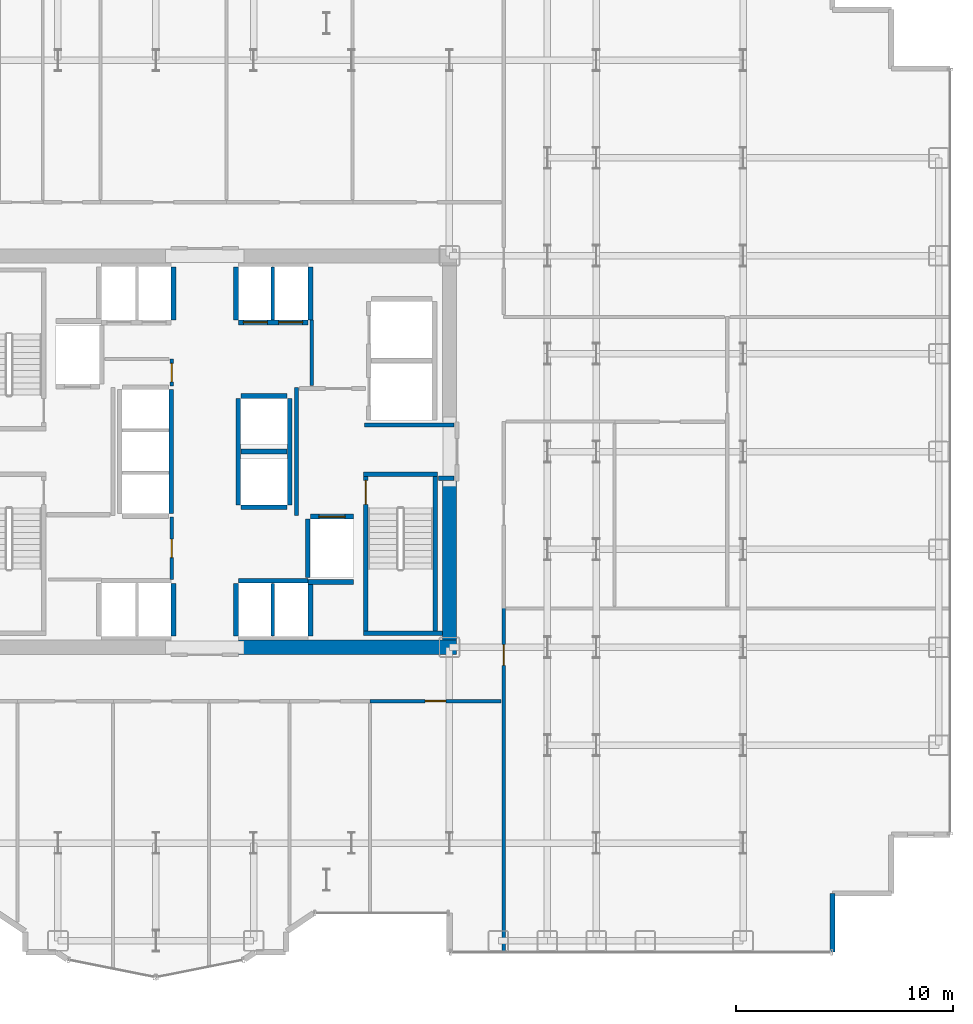
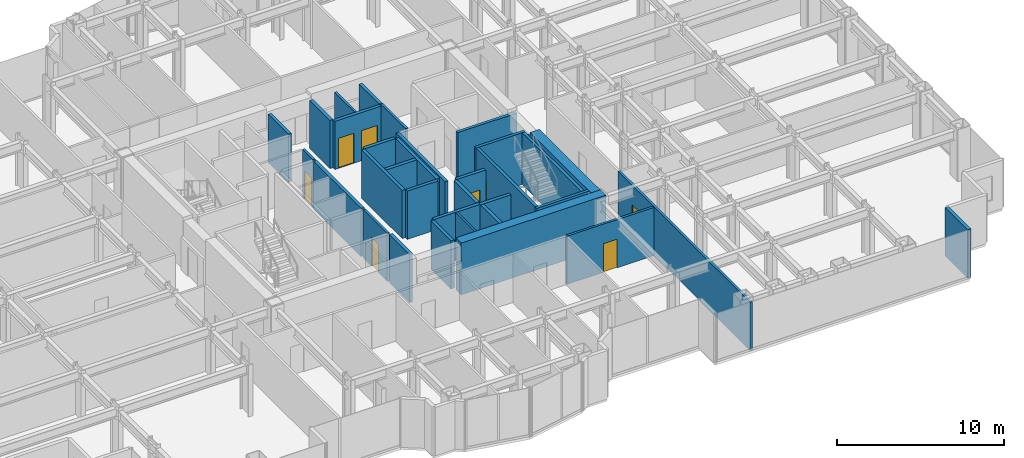
# One storey, part 22 of 27: 34 walls, 8 doors, 8 openings.
"""IFC4 building model written with IfcOpenShell, lengths in metres."""

from ifc_helpers import new_model, si_unit, direction, frame, frame_2d, origin, place, context, subcontext, project, spatial, rectangle, extrude, source, transform, mapped, material, layer, layer_set, type_object, element, fill, save


model = new_model("IFC4")

# Units and contexts
model_context = context("Model", 3, precision=1e-05, world=origin(), true_north=direction((0.0, 1.0)))
body_context = subcontext(model_context, "Body", "Model", "MODEL_VIEW")
ifc_project = project(units=[si_unit("LENGTHUNIT", "METRE"), si_unit("AREAUNIT", "SQUARE_METRE"), si_unit("VOLUMEUNIT", "CUBIC_METRE"), si_unit("PLANEANGLEUNIT", "RADIAN"), si_unit("MASSUNIT", "GRAM", prefix="KILO")], contexts=[model_context])

# Site, building, storey
site_placement = place(None, origin())
site = spatial("IfcSite", under=ifc_project, at=site_placement, CompositionType="ELEMENT")
building_placement = place(site_placement, origin())
building = spatial("IfcBuilding", under=site, at=building_placement, Name="Nefas-Gora Pilgrimage Tower", CompositionType="ELEMENT")
storey_placement = place(building_placement, frame((0.0, 0.0, 48.199951171875)))
storey = spatial("IfcBuildingStorey", under=building, at=storey_placement, Name="L10", CompositionType="ELEMENT", Elevation=48.199951171875)

# Walls
ifc_material_1 = material(Name="Concrete C60/75", Category="concrete")
ifc_layer_1 = layer(ifc_material_1, 0.64990234375)
ifc_layer_set_1 = layer_set([ifc_layer_1], Name="Concrete C60/75")
wall_type_1 = type_object("IfcWallType", Name="SW-CORE-650", PredefinedType="SHEAR", material=ifc_layer_set_1)
shared_shape_1 = source(origin(), body_context, "Body", "SweptSolid", [
    extrude(rectangle(XDim=10.02490234375, YDim=0.64990234375, at=frame_2d((5.012451171875, 0.0))), origin(), (0.0, 0.0, 1.0), 3.800048828125),
])
wall_1_placement = place(storey_placement, frame((1.550048828125, -9.0, 0.0), z_axis=(0.0, 0.0, 1.0), x_axis=(1.0, 0.0, 0.0)))
element("IfcWall", 1, at=wall_1_placement, inside=storey, type_object=wall_type_1, Name="L10 Core Shear Wall S-East", PredefinedType="SHEAR", context=body_context, shape_type="MappedRepresentation", body=[
    mapped(shared_shape_1, transform((0.0, 0.0, 0.0), x_axis=(1.0, 0.0, 0.0), y_axis=(0.0, 1.0, 0.0), z_axis=(0.0, 0.0, 1.0), scale=1.0)),
])
shared_shape_2 = source(origin(), body_context, "Body", "SweptSolid", [
    extrude(rectangle(XDim=7.324951171875, YDim=0.64990234375, at=frame_2d((3.66259765625, 0.0))), origin(), (0.0, 0.0, 1.0), 3.800048828125),
])
wall_2_placement = place(storey_placement, frame((11.25, -8.675048828125, 0.0), z_axis=(0.0, 0.0, 1.0), x_axis=(0.0, 1.0, 0.0)))
element("IfcWall", 2, at=wall_2_placement, inside=storey, type_object=wall_type_1, Name="L10 Core Shear Wall E-South", PredefinedType="SHEAR", context=body_context, shape_type="MappedRepresentation", body=[
    mapped(shared_shape_2, transform((0.0, 0.0, 0.0), x_axis=(1.0, 0.0, 0.0), y_axis=(0.0, 1.0, 0.0), z_axis=(0.0, 0.0, 1.0), scale=1.0)),
])
ifc_material_2 = material(Name="Precast concrete C45/55", Category="concrete")
ifc_layer_2 = layer(ifc_material_2, 0.239990234375)
ifc_layer_set_2 = layer_set([ifc_layer_2], Name="Precast concrete C45/55")
wall_type_2 = type_object("IfcWallType", Name="EW-SERR-240", PredefinedType="SHEAR", material=ifc_layer_set_2)
shared_shape_3 = source(origin(), body_context, "Body", "SweptSolid", [
    extrude(rectangle(XDim=2.699951171875, YDim=0.239990234375, at=frame_2d((1.35009765625, 0.0))), origin(), (0.0, 0.0, 1.0), 3.550048828125),
])
wall_3_placement = place(storey_placement, frame((28.8701171875, -23.02001953125, 0.0), z_axis=(0.0, 0.0, 1.0), x_axis=(0.0, 1.0, 0.0)))
element("IfcWall", 3, at=wall_3_placement, inside=storey, type_object=wall_type_2, Name="L10 Serrated Corner Shear Pier Wall 2", PredefinedType="SHEAR", context=body_context, shape_type="MappedRepresentation", body=[
    mapped(shared_shape_3, transform((0.0, 0.0, 0.0), x_axis=(1.0, 0.0, 0.0), y_axis=(0.0, 1.0, 0.0), z_axis=(0.0, 0.0, 1.0), scale=1.0)),
])
ifc_material_3 = material(Name="Concrete C45/55", Category="concrete")
ifc_layer_3 = layer(ifc_material_3, 0.199951171875)
ifc_layer_set_3 = layer_set([ifc_layer_3], Name="Concrete C45/55")
wall_type_3 = type_object("IfcWallType", Name="IW-STAIR-200", PredefinedType="SOLIDWALL", material=ifc_layer_set_3)
shared_shape_4 = source(origin(), body_context, "Body", "SweptSolid", [
    extrude(rectangle(XDim=3.39990234375, YDim=0.199951171875, at=frame_2d((1.699951171875, 0.0))), origin(), (0.0, 0.0, 1.0), 3.800048828125),
])
wall_4_placement = place(storey_placement, frame((7.300048828125, -1.050048828125, 0.0), z_axis=(0.0, 0.0, 1.0), x_axis=(1.0, 0.0, 0.0)))
element("IfcWall", 4, at=wall_4_placement, inside=storey, type_object=wall_type_3, Name="L10 Stairwell Shear Wall ST-02-near", PredefinedType="SOLIDWALL", context=body_context, shape_type="MappedRepresentation", body=[
    mapped(shared_shape_4, transform((0.0, 0.0, 0.0), x_axis=(1.0, 0.0, 0.0), y_axis=(0.0, 1.0, 0.0), z_axis=(0.0, 0.0, 1.0), scale=1.0)),
])
shared_shape_5 = source(origin(), body_context, "Body", "SweptSolid", [
    extrude(rectangle(XDim=3.6298828125, YDim=0.199951171875, at=frame_2d((1.81494140625, 0.0))), origin(), (0.0, 0.0, 1.0), 3.800048828125),
])
wall_5_placement = place(storey_placement, frame((7.300048828125, -8.35009765625, 0.0), z_axis=(0.0, 0.0, 1.0), x_axis=(1.0, 0.0, 0.0)))
element("IfcWall", 5, at=wall_5_placement, inside=storey, type_object=wall_type_3, Name="L10 Stairwell Shear Wall ST-02-far", PredefinedType="SOLIDWALL", context=body_context, shape_type="MappedRepresentation", body=[
    mapped(shared_shape_5, transform((0.0, 0.0, 0.0), x_axis=(1.0, 0.0, 0.0), y_axis=(0.0, 1.0, 0.0), z_axis=(0.0, 0.0, 1.0), scale=1.0)),
])

# Wall, opening, door
shared_shape_6 = source(origin(), body_context, "Body", "SweptSolid", [
    extrude(rectangle(XDim=7.10009765625, YDim=0.199951171875, at=frame_2d((3.550048828125, 0.0))), origin(), (0.0, 0.0, 1.0), 3.800048828125),
])
wall_6_placement = place(storey_placement, frame((7.39990234375, -1.14990234375, 0.0), z_axis=(0.0, 0.0, 1.0), x_axis=(0.0, -1.0, 0.0)))
wall_6 = element("IfcWall", 6, at=wall_6_placement, inside=storey, type_object=wall_type_3, Name="L10 Stairwell Shear Wall ST-02-left", PredefinedType="SOLIDWALL", context=body_context, shape_type="MappedRepresentation", body=[
    mapped(shared_shape_6, transform((0.0, 0.0, 0.0), x_axis=(1.0, 0.0, 0.0), y_axis=(0.0, 1.0, 0.0), z_axis=(0.0, 0.0, 1.0), scale=1.0)),
])
opening_1_placement = place(wall_6_placement, frame((0.179931640625, 0.0, 0.0)))
opening_1 = element("IfcOpeningElement", 7, at=opening_1_placement, cuts=wall_6, Name="Opening ID-ST1", PredefinedType="OPENING", context=body_context, shape_type="SweptSolid", body=[
    extrude(rectangle(XDim=1.10009765625, YDim=2.14990234375, at=frame_2d((0.550048828125, 1.074951171875))), frame((0.0, 0.10986328125, 0.0), z_axis=(0.0, -1.0, 0.0), x_axis=(1.0, 0.0, 0.0)), (0.0, 0.0, 1.0), 0.219970703125),
])
ifc_material_4 = material(Name="Painted galvanised steel fire stair door", Category="steel")
door_type_1 = type_object("IfcDoorType", Name="DR-INT-STAIR-1100", OperationType="NOTDEFINED", PredefinedType="DOOR", material=ifc_material_4)
shared_shape_7 = source(origin(), body_context, "Body", "SweptSolid", [
    extrude(rectangle(XDim=1.10009765625, YDim=2.14990234375, at=frame_2d((0.550048828125, 1.074951171875))), frame((0.0, 0.02490234375, 0.0), z_axis=(0.0, -1.0, 0.0), x_axis=(1.0, 0.0, 0.0)), (0.0, 0.0, 1.0), 0.050048828125),
])
door_1_placement = place(opening_1_placement, origin())
door_1 = element("IfcDoor", 8, at=door_1_placement, inside=storey, type_object=door_type_1, Name="L10 Protected Exit Stair Door ST-02", OperationType="SINGLE_SWING_LEFT", OverallHeight=2.14990234375, OverallWidth=1.10009765625, PredefinedType="DOOR", context=body_context, shape_type="MappedRepresentation", body=[
    mapped(shared_shape_7, transform((0.0, 0.0, 0.0), x_axis=(1.0, 0.0, 0.0), y_axis=(0.0, 1.0, 0.0), z_axis=(0.0, 0.0, 1.0), scale=1.0)),
])
fill(opening_1, door_1)

# Wall
wall_7_placement = place(storey_placement, frame((10.60009765625, -1.14990234375, 0.0), z_axis=(0.0, 0.0, 1.0), x_axis=(0.0, -1.0, 0.0)))
element("IfcWall", 9, at=wall_7_placement, inside=storey, type_object=wall_type_3, Name="L10 Stairwell Shear Wall ST-02-right", PredefinedType="SOLIDWALL", context=body_context, shape_type="MappedRepresentation", body=[
    mapped(shared_shape_6, transform((0.0, 0.0, 0.0), x_axis=(1.0, 0.0, 0.0), y_axis=(0.0, 1.0, 0.0), z_axis=(0.0, 0.0, 1.0), scale=1.0)),
])

# Wall, opening, door
ifc_material_5 = material(Name="Concrete C40/50", Category="concrete")
ifc_layer_4 = layer(ifc_material_5, 0.219970703125)
ifc_layer_set_4 = layer_set([ifc_layer_4], Name="Concrete C40/50")
wall_type_4 = type_object("IfcWallType", Name="IW-SHAFT-220", PredefinedType="SOLIDWALL", material=ifc_layer_set_4)
shared_shape_8 = source(origin(), body_context, "Body", "SweptSolid", [
    extrude(rectangle(XDim=2.0, YDim=0.219970703125, at=frame_2d((1.0, 0.0))), origin(), (0.0, 0.0, 1.0), 3.53515625),
])
wall_8_placement = place(storey_placement, frame((6.85009765625, -2.989990234375, 0.0), z_axis=(0.0, 0.0, 1.0), x_axis=(-1.0, 0.0, 0.0)))
wall_8 = element("IfcWall", 10, at=wall_8_placement, inside=storey, type_object=wall_type_4, Name="L10 Hoistway Wall FFL-02-N", PredefinedType="SOLIDWALL", context=body_context, shape_type="MappedRepresentation", body=[
    mapped(shared_shape_8, transform((0.0, 0.0, 0.0), x_axis=(1.0, 0.0, 0.0), y_axis=(0.0, 1.0, 0.0), z_axis=(0.0, 0.0, 1.0), scale=1.0)),
])
opening_2_placement = place(wall_8_placement, frame((0.39990234375, 0.0, 0.0)))
opening_2 = element("IfcOpeningElement", 11, at=opening_2_placement, cuts=wall_8, Name="Opening LD-FF", PredefinedType="OPENING", context=body_context, shape_type="SweptSolid", body=[
    extrude(rectangle(XDim=1.199951171875, YDim=2.199951171875, at=frame_2d((0.60009765625, 1.10009765625))), frame((0.0, 0.119873046875, 0.0), z_axis=(0.0, -1.0, 0.0), x_axis=(1.0, 0.0, 0.0)), (0.0, 0.0, 1.0), 0.239990234375),
])
ifc_material_6 = material(Name="Fire-service sliding lift landing door")
door_type_2 = type_object("IfcDoorType", Name="DR-LIFT-FSAE-1200", OperationType="SLIDING_TO_LEFT", PredefinedType="DOOR", material=ifc_material_6)
shared_shape_9 = source(origin(), body_context, "Body", "SweptSolid", [
    extrude(rectangle(XDim=1.199951171875, YDim=2.199951171875, at=frame_2d((0.60009765625, 1.10009765625))), frame((0.0, 0.02490234375, 0.0), z_axis=(0.0, -1.0, 0.0), x_axis=(1.0, 0.0, 0.0)), (0.0, 0.0, 1.0), 0.050048828125),
])
door_2_placement = place(opening_2_placement, origin())
door_2 = element("IfcDoor", 12, at=door_2_placement, inside=storey, type_object=door_type_2, Name="L10 Sliding Lift Landing Door FFL-02", OperationType="SLIDING_TO_LEFT", OverallHeight=2.199951171875, OverallWidth=1.199951171875, PredefinedType="DOOR", context=body_context, shape_type="MappedRepresentation", body=[
    mapped(shared_shape_9, transform((0.0, 0.0, 0.0), x_axis=(1.0, 0.0, 0.0), y_axis=(0.0, 1.0, 0.0), z_axis=(0.0, 0.0, 1.0), scale=1.0)),
])
fill(opening_2, door_2)

# Wall
shared_shape_10 = source(origin(), body_context, "Body", "SweptSolid", [
    extrude(rectangle(XDim=2.679931640625, YDim=0.219970703125, at=frame_2d((1.33984375, 0.0))), origin(), (0.0, 0.0, 1.0), 3.53515625),
])
wall_9_placement = place(storey_placement, frame((4.739990234375, -3.110107421875, 0.0), z_axis=(0.0, 0.0, 1.0), x_axis=(0.0, -1.0, 0.0)))
element("IfcWall", 13, at=wall_9_placement, inside=storey, type_object=wall_type_4, Name="L10 Hoistway Wall FFL-02-W", PredefinedType="SOLIDWALL", context=body_context, shape_type="MappedRepresentation", body=[
    mapped(shared_shape_10, transform((0.0, 0.0, 0.0), x_axis=(1.0, 0.0, 0.0), y_axis=(0.0, 1.0, 0.0), z_axis=(0.0, 0.0, 1.0), scale=1.0)),
])

# Wall, openings, doors
shared_shape_11 = source(origin(), body_context, "Body", "SweptSolid", [
    extrude(rectangle(XDim=3.199951171875, YDim=0.219970703125, at=frame_2d((1.60009765625, 0.0))), origin(), (0.0, 0.0, 1.0), 3.53515625),
])
wall_10_placement = place(storey_placement, frame((1.550048828125, 5.93994140625, 0.0), z_axis=(0.0, 0.0, 1.0), x_axis=(1.0, 0.0, 0.0)))
wall_10 = element("IfcWall", 14, at=wall_10_placement, inside=storey, type_object=wall_type_4, Name="L10 Hoistway Wall PL1-E-S", PredefinedType="SOLIDWALL", context=body_context, shape_type="MappedRepresentation", body=[
    mapped(shared_shape_11, transform((0.0, 0.0, 0.0), x_axis=(1.0, 0.0, 0.0), y_axis=(0.0, 1.0, 0.0), z_axis=(0.0, 0.0, 1.0), scale=1.0)),
])
opening_3_placement = place(wall_10_placement, frame((0.22509765625, 0.0, 0.0)))
opening_3 = element("IfcOpeningElement", 15, at=opening_3_placement, cuts=wall_10, Name="Opening LD-01", PredefinedType="OPENING", context=body_context, shape_type="SweptSolid", body=[
    extrude(rectangle(XDim=1.10009765625, YDim=2.199951171875, at=frame_2d((0.550048828125, 1.10009765625))), frame((0.0, 0.119873046875, 0.0), z_axis=(0.0, -1.0, 0.0), x_axis=(1.0, 0.0, 0.0)), (0.0, 0.0, 1.0), 0.239990234375),
])
opening_4_placement = place(wall_10_placement, frame((1.85009765625, 0.0, 0.0)))
opening_4 = element("IfcOpeningElement", 16, at=opening_4_placement, cuts=wall_10, Name="Opening LD-01", PredefinedType="OPENING", context=body_context, shape_type="SweptSolid", body=[
    extrude(rectangle(XDim=1.10009765625, YDim=2.199951171875, at=frame_2d((0.550048828125, 1.10009765625))), frame((0.0, 0.119873046875, 0.0), z_axis=(0.0, -1.0, 0.0), x_axis=(1.0, 0.0, 0.0)), (0.0, 0.0, 1.0), 0.239990234375),
])
ifc_material_7 = material(Name="Brushed stainless sliding lift landing door")
door_type_3 = type_object("IfcDoorType", Name="DR-LIFT-PASS-1100", OperationType="DOUBLE_DOOR_SLIDING", PredefinedType="DOOR", material=ifc_material_7)
shared_shape_12 = source(origin(), body_context, "Body", "SweptSolid", [
    extrude(rectangle(XDim=1.10009765625, YDim=2.199951171875, at=frame_2d((0.550048828125, 1.10009765625))), frame((0.0, 0.02490234375, 0.0), z_axis=(0.0, -1.0, 0.0), x_axis=(1.0, 0.0, 0.0)), (0.0, 0.0, 1.0), 0.050048828125),
])
door_3_placement = place(opening_3_placement, origin())
door_3 = element("IfcDoor", 17, at=door_3_placement, inside=storey, type_object=door_type_3, Name="L10 Sliding Lift Landing Door PL1-03", OperationType="DOUBLE_DOOR_SLIDING", OverallHeight=2.199951171875, OverallWidth=1.10009765625, PredefinedType="DOOR", context=body_context, shape_type="MappedRepresentation", body=[
    mapped(shared_shape_12, transform((0.0, 0.0, 0.0), x_axis=(1.0, 0.0, 0.0), y_axis=(0.0, 1.0, 0.0), z_axis=(0.0, 0.0, 1.0), scale=1.0)),
])
fill(opening_3, door_3)
door_4_placement = place(opening_4_placement, origin())
door_4 = element("IfcDoor", 18, at=door_4_placement, inside=storey, type_object=door_type_3, Name="L10 Sliding Lift Landing Door PL1-04", OperationType="DOUBLE_DOOR_SLIDING", OverallHeight=2.199951171875, OverallWidth=1.10009765625, PredefinedType="DOOR", context=body_context, shape_type="MappedRepresentation", body=[
    mapped(shared_shape_12, transform((0.0, 0.0, 0.0), x_axis=(1.0, 0.0, 0.0), y_axis=(0.0, 1.0, 0.0), z_axis=(0.0, 0.0, 1.0), scale=1.0)),
])
fill(opening_4, door_4)

# Walls
wall_11_placement = place(storey_placement, frame((4.75, -5.93994140625, 0.0), z_axis=(0.0, 0.0, 1.0), x_axis=(-1.0, 0.0, 0.0)))
element("IfcWall", 19, at=wall_11_placement, inside=storey, type_object=wall_type_4, Name="L10 Hoistway Wall PL2-E-N", PredefinedType="SOLIDWALL", context=body_context, shape_type="MappedRepresentation", body=[
    mapped(shared_shape_11, transform((0.0, 0.0, 0.0), x_axis=(1.0, 0.0, 0.0), y_axis=(0.0, 1.0, 0.0), z_axis=(0.0, 0.0, 1.0), scale=1.0)),
])
shared_shape_13 = source(origin(), body_context, "Body", "SweptSolid", [
    extrude(rectangle(XDim=2.429931640625, YDim=0.219970703125, at=frame_2d((1.21484375, 0.0))), origin(), (0.0, 0.0, 1.0), 3.53515625),
])
for number, where, z_axis, x_axis, name in (
    (20, (-1.43994140625, 6.06005859375, 0.0), (0.0, 0.0, 1.0), (0.0, 1.0, 0.0), "L10 Hoistway Wall PL1-W-E"),
    (21, (1.43994140625, 8.489990234375, 0.0), (0.0, 0.0, 1.0), (0.0, -1.0, 0.0), "L10 Hoistway Wall PL1-E-W"),
    (22, (4.860107421875, 6.06005859375, 0.0), (0.0, 0.0, 1.0), (0.0, 1.0, 0.0), "L10 Hoistway Wall PL1-E-E"),
    (23, (-1.43994140625, -8.489990234375, 0.0), (0.0, 0.0, 1.0), (0.0, 1.0, 0.0), "L10 Hoistway Wall PL2-W-E"),
    (24, (1.43994140625, -6.06005859375, 0.0), (0.0, 0.0, 1.0), (0.0, -1.0, 0.0), "L10 Hoistway Wall PL2-E-W"),
    (25, (4.860107421875, -8.489990234375, 0.0), (0.0, 0.0, 1.0), (0.0, 1.0, 0.0), "L10 Hoistway Wall PL2-E-E"),
):
    element("IfcWall", number, at=place(storey_placement, frame(where, z_axis=z_axis, x_axis=x_axis)), inside=storey, type_object=wall_type_4, Name=name, PredefinedType="SOLIDWALL", context=body_context, shape_type="MappedRepresentation", body=[
        mapped(shared_shape_13, transform((0.0, 0.0, 0.0), x_axis=(1.0, 0.0, 0.0), y_axis=(0.0, 1.0, 0.0), z_axis=(0.0, 0.0, 1.0), scale=1.0)),
    ])
ifc_material_8 = material(Name="Gypsum twin-stud partition")
ifc_layer_5 = layer(ifc_material_8, 0.139892578125)
ifc_layer_set_5 = layer_set([ifc_layer_5], Name="Gypsum twin-stud partition")
wall_type_5 = type_object("IfcWallType", Name="IW-UNIT-140", PredefinedType="PARTITIONING", material=ifc_layer_set_5)
shared_shape_14 = source(origin(), body_context, "Body", "SweptSolid", [
    extrude(rectangle(XDim=2.429931640625, YDim=0.139892578125, at=frame_2d((1.21484375, 0.0))), origin(), (0.0, 0.0, 1.0), 3.53515625),
])
for number, where, z_axis, x_axis, name in (
    (26, (3.125, 6.06005859375, 0.0), (0.0, 0.0, 1.0), (0.0, 1.0, 0.0), "L10 Hoistway Wall PL1-E-DIV"),
    (27, (3.125, -8.489990234375, 0.0), (0.0, 0.0, 1.0), (0.0, 1.0, 0.0), "L10 Hoistway Wall PL2-E-DIV"),
):
    element("IfcWall", number, at=place(storey_placement, frame(where, z_axis=z_axis, x_axis=x_axis)), inside=storey, type_object=wall_type_5, Name=name, PredefinedType="PARTITIONING", context=body_context, shape_type="MappedRepresentation", body=[
        mapped(shared_shape_14, transform((0.0, 0.0, 0.0), x_axis=(1.0, 0.0, 0.0), y_axis=(0.0, 1.0, 0.0), z_axis=(0.0, 0.0, 1.0), scale=1.0)),
    ])
shared_shape_15 = source(origin(), body_context, "Body", "SweptSolid", [
    extrude(rectangle(XDim=5.7001953125, YDim=0.219970703125, at=frame_2d((2.85009765625, 0.0))), origin(), (0.0, 0.0, 1.0), 3.53515625),
])
wall_12_placement = place(storey_placement, frame((-1.5400390625, -2.85009765625, 0.0), z_axis=(0.0, 0.0, 1.0), x_axis=(0.0, 1.0, 0.0)))
element("IfcWall", 28, at=wall_12_placement, inside=storey, type_object=wall_type_4, Name="L10 Hoistway Wall PL3-01-03-E", PredefinedType="SOLIDWALL", context=body_context, shape_type="MappedRepresentation", body=[
    mapped(shared_shape_15, transform((0.0, 0.0, 0.0), x_axis=(1.0, 0.0, 0.0), y_axis=(0.0, 1.0, 0.0), z_axis=(0.0, 0.0, 1.0), scale=1.0)),
])
shared_shape_16 = source(origin(), body_context, "Body", "SweptSolid", [
    extrude(rectangle(XDim=2.130126953125, YDim=0.219970703125, at=frame_2d((1.06494140625, 0.0))), origin(), (0.0, 0.0, 1.0), 3.53515625),
])
for number, where, z_axis, x_axis, name in (
    (29, (1.659912109375, -2.56005859375, 0.0), (0.0, 0.0, 1.0), (1.0, 0.0, 0.0), "L10 Hoistway Wall OBS-01-S"),
    (30, (1.659912109375, 0.0, 0.0), (0.0, 0.0, 1.0), (1.0, 0.0, 0.0), "L10 Hoistway Wall OBS-01-02-DIV"),
    (31, (3.7900390625, 2.56005859375, 0.0), (0.0, 0.0, 1.0), (-1.0, 0.0, 0.0), "L10 Hoistway Wall OBS-02-N"),
):
    element("IfcWall", number, at=place(storey_placement, frame(where, z_axis=z_axis, x_axis=x_axis)), inside=storey, type_object=wall_type_4, Name=name, PredefinedType="SOLIDWALL", context=body_context, shape_type="MappedRepresentation", body=[
        mapped(shared_shape_16, transform((0.0, 0.0, 0.0), x_axis=(1.0, 0.0, 0.0), y_axis=(0.0, 1.0, 0.0), z_axis=(0.0, 0.0, 1.0), scale=1.0)),
    ])
shared_shape_17 = source(origin(), body_context, "Body", "SweptSolid", [
    extrude(rectangle(XDim=4.89990234375, YDim=0.219970703125, at=frame_2d((2.449951171875, 0.0))), origin(), (0.0, 0.0, 1.0), 3.53515625),
])
for number, where, z_axis, x_axis, name in (
    (32, (1.5400390625, 2.449951171875, 0.0), (0.0, 0.0, 1.0), (0.0, -1.0, 0.0), "L10 Hoistway Wall OBS-01-02-W"),
    (33, (3.909912109375, -2.449951171875, 0.0), (0.0, 0.0, 1.0), (0.0, 1.0, 0.0), "L10 Hoistway Wall OBS-01-02-E"),
):
    element("IfcWall", number, at=place(storey_placement, frame(where, z_axis=z_axis, x_axis=x_axis)), inside=storey, type_object=wall_type_4, Name=name, PredefinedType="SOLIDWALL", context=body_context, shape_type="MappedRepresentation", body=[
        mapped(shared_shape_17, transform((0.0, 0.0, 0.0), x_axis=(1.0, 0.0, 0.0), y_axis=(0.0, 1.0, 0.0), z_axis=(0.0, 0.0, 1.0), scale=1.0)),
    ])
shared_shape_18 = source(origin(), body_context, "Body", "SweptSolid", [
    extrude(rectangle(XDim=2.09521484375, YDim=0.219970703125, at=frame_2d((1.047607421875, 0.0))), origin(), (0.0, 0.0, 1.0), 3.53515625),
])
wall_13_placement = place(storey_placement, frame((4.7548828125, -6.0, 0.0), z_axis=(0.0, 0.0, 1.0), x_axis=(1.0, 0.0, 0.0)))
element("IfcWall", 34, at=wall_13_placement, inside=storey, type_object=wall_type_4, Name="L10 Riser Shaft Wall 2", PredefinedType="SOLIDWALL", context=body_context, shape_type="MappedRepresentation", body=[
    mapped(shared_shape_18, transform((0.0, 0.0, 0.0), x_axis=(1.0, 0.0, 0.0), y_axis=(0.0, 1.0, 0.0), z_axis=(0.0, 0.0, 1.0), scale=1.0)),
])
ifc_material_9 = material(Name="Gypsum fire-rated shaftwall")
ifc_layer_6 = layer(ifc_material_9, 0.199951171875)
ifc_layer_set_6 = layer_set([ifc_layer_6], Name="Gypsum fire-rated shaftwall")
wall_type_6 = type_object("IfcWallType", Name="IW-FFLOB-200", PredefinedType="PARTITIONING", material=ifc_layer_set_6)
shared_shape_19 = source(origin(), body_context, "Body", "SweptSolid", [
    extrude(rectangle(XDim=5.89990234375, YDim=0.199951171875, at=frame_2d((2.949951171875, 0.0))), origin(), (0.0, 0.0, 1.0), 3.53515625),
])
wall_14_placement = place(storey_placement, frame((4.219970703125, -2.949951171875, 0.0), z_axis=(0.0, 0.0, 1.0), x_axis=(0.0, 1.0, 0.0)))
element("IfcWall", 35, at=wall_14_placement, inside=storey, type_object=wall_type_6, Name="L10 FF Lobby East Inner Wall Wall 9", PredefinedType="PARTITIONING", context=body_context, shape_type="MappedRepresentation", body=[
    mapped(shared_shape_19, transform((0.0, 0.0, 0.0), x_axis=(1.0, 0.0, 0.0), y_axis=(0.0, 1.0, 0.0), z_axis=(0.0, 0.0, 1.0), scale=1.0)),
])
shared_shape_20 = source(origin(), body_context, "Body", "SweptSolid", [
    extrude(rectangle(XDim=0.719970703125, YDim=0.199951171875, at=frame_2d((0.35986328125, 0.0))), origin(), (0.0, 0.0, 1.0), 3.53515625),
])
wall_15_placement = place(storey_placement, frame((10.739990234375, -1.219970703125, 0.0), z_axis=(0.0, 0.0, 1.0), x_axis=(1.0, 0.0, 0.0)))
element("IfcWall", 36, at=wall_15_placement, inside=storey, type_object=wall_type_6, Name="L10 FF Lobby East Throat S Wall 12", PredefinedType="PARTITIONING", context=body_context, shape_type="MappedRepresentation", body=[
    mapped(shared_shape_20, transform((0.0, 0.0, 0.0), x_axis=(1.0, 0.0, 0.0), y_axis=(0.0, 1.0, 0.0), z_axis=(0.0, 0.0, 1.0), scale=1.0)),
])
shared_shape_21 = source(origin(), body_context, "Body", "SweptSolid", [
    extrude(rectangle(XDim=4.10986328125, YDim=0.199951171875, at=frame_2d((2.054931640625, 0.0))), origin(), (0.0, 0.0, 1.0), 3.53515625),
])
wall_16_placement = place(storey_placement, frame((7.35009765625, 1.219970703125, 0.0), z_axis=(0.0, 0.0, 1.0), x_axis=(1.0, 0.0, 0.0)))
element("IfcWall", 37, at=wall_16_placement, inside=storey, type_object=wall_type_6, Name="L10 FF Lobby East Throat N Wall 11", PredefinedType="PARTITIONING", context=body_context, shape_type="MappedRepresentation", body=[
    mapped(shared_shape_21, transform((0.0, 0.0, 0.0), x_axis=(1.0, 0.0, 0.0), y_axis=(0.0, 1.0, 0.0), z_axis=(0.0, 0.0, 1.0), scale=1.0)),
])
ifc_material_10 = material(Name="Gypsum acoustic stud partition")
ifc_layer_7 = layer(ifc_material_10, 0.159912109375)
ifc_layer_set_7 = layer_set([ifc_layer_7], Name="Gypsum acoustic stud partition")
wall_type_7 = type_object("IfcWallType", Name="IW-CORR-160", PredefinedType="PARTITIONING", material=ifc_layer_set_7)
shared_shape_22 = source(origin(), body_context, "Body", "SweptSolid", [
    extrude(rectangle(XDim=3.014892578125, YDim=0.159912109375, at=frame_2d((1.50732421875, 0.0))), origin(), (0.0, 0.0, 1.0), 3.53515625),
])
wall_17_placement = place(storey_placement, frame((4.919921875, 3.0400390625, 0.0), z_axis=(0.0, 0.0, 1.0), x_axis=(0.0, 1.0, 0.0)))
element("IfcWall", 38, at=wall_17_placement, inside=storey, type_object=wall_type_7, Name="L10 Service Lift Lobby West Wall Wall 15", PredefinedType="PARTITIONING", context=body_context, shape_type="MappedRepresentation", body=[
    mapped(shared_shape_22, transform((0.0, 0.0, 0.0), x_axis=(1.0, 0.0, 0.0), y_axis=(0.0, 1.0, 0.0), z_axis=(0.0, 0.0, 1.0), scale=1.0)),
])

# Wall, opening, door
shared_shape_23 = source(origin(), body_context, "Body", "SweptSolid", [
    extrude(rectangle(XDim=15.844970703125, YDim=0.159912109375, at=frame_2d((7.92236328125, 0.0))), origin(), (0.0, 0.0, 1.0), 3.53515625),
])
wall_18_placement = place(storey_placement, frame((13.739990234375, -23.0400390625, 0.0), z_axis=(0.0, 0.0, 1.0), x_axis=(0.0, 1.0, 0.0)))
wall_18 = element("IfcWall", 39, at=wall_18_placement, inside=storey, type_object=wall_type_7, Name="L10 Pilgrim Contemplative Lounge Partition Wall 34", PredefinedType="PARTITIONING", context=body_context, shape_type="MappedRepresentation", body=[
    mapped(shared_shape_23, transform((0.0, 0.0, 0.0), x_axis=(1.0, 0.0, 0.0), y_axis=(0.0, 1.0, 0.0), z_axis=(0.0, 0.0, 1.0), scale=1.0)),
])
opening_5_placement = place(wall_18_placement, frame((13.21240234375, 0.0, 0.0)))
opening_5 = element("IfcOpeningElement", 40, at=opening_5_placement, cuts=wall_18, Name="Opening ID-GR1", PredefinedType="OPENING", context=body_context, shape_type="SweptSolid", body=[
    extrude(rectangle(XDim=0.949951171875, YDim=2.10009765625, at=frame_2d((0.47509765625, 1.050048828125))), frame((0.0, 0.08984375, 0.0), z_axis=(0.0, -1.0, 0.0), x_axis=(1.0, 0.0, 0.0)), (0.0, 0.0, 1.0), 0.179931640625),
])
ifc_material_11 = material(Name="Solid core oak fire-rated guest entrance door")
door_type_4 = type_object("IfcDoorType", Name="DR-INT-GUEST-950", OperationType="NOTDEFINED", PredefinedType="DOOR", material=ifc_material_11)
shared_shape_24 = source(origin(), body_context, "Body", "SweptSolid", [
    extrude(rectangle(XDim=0.949951171875, YDim=2.10009765625, at=frame_2d((0.47509765625, 1.050048828125))), frame((0.0, 0.02490234375, 0.0), z_axis=(0.0, -1.0, 0.0), x_axis=(1.0, 0.0, 0.0)), (0.0, 0.0, 1.0), 0.050048828125),
])
door_5_placement = place(opening_5_placement, origin())
door_5 = element("IfcDoor", 41, at=door_5_placement, inside=storey, type_object=door_type_4, Name="L10 Pilgrim Contemplative Lounge Door 15", OperationType="SINGLE_SWING_RIGHT", OverallHeight=2.10009765625, OverallWidth=0.949951171875, PredefinedType="DOOR", context=body_context, shape_type="MappedRepresentation", body=[
    mapped(shared_shape_24, transform((0.0, 0.0, 0.0), x_axis=(1.0, 0.0, 0.0), y_axis=(0.0, 1.0, 0.0), z_axis=(0.0, 0.0, 1.0), scale=1.0)),
])
fill(opening_5, door_5)

shared_shape_25 = source(origin(), body_context, "Body", "SweptSolid", [
    extrude(rectangle(XDim=6.025146484375, YDim=0.159912109375, at=frame_2d((3.0126953125, 0.0))), origin(), (0.0, 0.0, 1.0), 3.53515625),
])
wall_19_placement = place(storey_placement, frame((7.594970703125, -11.469970703125, 0.0), z_axis=(0.0, 0.0, 1.0), x_axis=(1.0, 0.0, 0.0)))
wall_19 = element("IfcWall", 42, at=wall_19_placement, inside=storey, type_object=wall_type_7, Name="L10 Pilgrim Contemplative Lounge Partition Wall 62", PredefinedType="PARTITIONING", context=body_context, shape_type="MappedRepresentation", body=[
    mapped(shared_shape_25, transform((0.0, 0.0, 0.0), x_axis=(1.0, 0.0, 0.0), y_axis=(0.0, 1.0, 0.0), z_axis=(0.0, 0.0, 1.0), scale=1.0)),
])
opening_6_placement = place(wall_19_placement, frame((2.53759765625, 0.0, 0.0)))
opening_6 = element("IfcOpeningElement", 43, at=opening_6_placement, cuts=wall_19, Name="Opening ID-GR1", PredefinedType="OPENING", context=body_context, shape_type="SweptSolid", body=[
    extrude(rectangle(XDim=0.949951171875, YDim=2.10009765625, at=frame_2d((0.47509765625, 1.050048828125))), frame((0.0, 0.08984375, 0.0), z_axis=(0.0, -1.0, 0.0), x_axis=(1.0, 0.0, 0.0)), (0.0, 0.0, 1.0), 0.179931640625),
])
door_6_placement = place(opening_6_placement, origin())
door_6 = element("IfcDoor", 44, at=door_6_placement, inside=storey, type_object=door_type_4, Name="L10 Pilgrim Contemplative Lounge Door 30", OperationType="SINGLE_SWING_LEFT", OverallHeight=2.10009765625, OverallWidth=0.949951171875, PredefinedType="DOOR", context=body_context, shape_type="MappedRepresentation", body=[
    mapped(shared_shape_24, transform((0.0, 0.0, 0.0), x_axis=(1.0, 0.0, 0.0), y_axis=(0.0, 1.0, 0.0), z_axis=(0.0, 0.0, 1.0), scale=1.0)),
])
fill(opening_6, door_6)

shared_shape_26 = source(origin(), body_context, "Body", "SweptSolid", [
    extrude(rectangle(XDim=1.25, YDim=0.159912109375, at=frame_2d((0.625, 0.0))), origin(), (0.0, 0.0, 1.0), 3.53515625),
])
wall_20_placement = place(storey_placement, frame((-1.52001953125, 3.010009765625, 0.0), z_axis=(0.0, 0.0, 1.0), x_axis=(0.0, 1.0, 0.0)))
wall_20 = element("IfcWall", 45, at=wall_20_placement, inside=storey, type_object=wall_type_7, Name="L10 Housekeeping and Linen Store Wall 16", PredefinedType="PARTITIONING", context=body_context, shape_type="MappedRepresentation", body=[
    mapped(shared_shape_26, transform((0.0, 0.0, 0.0), x_axis=(1.0, 0.0, 0.0), y_axis=(0.0, 1.0, 0.0), z_axis=(0.0, 0.0, 1.0), scale=1.0)),
])
opening_7_placement = place(wall_20_placement, frame((0.199951171875, 0.0, 0.0)))
opening_7 = element("IfcOpeningElement", 46, at=opening_7_placement, cuts=wall_20, Name="Opening ID-BT1", PredefinedType="OPENING", context=body_context, shape_type="SweptSolid", body=[
    extrude(rectangle(XDim=0.85009765625, YDim=2.10009765625, at=frame_2d((0.425048828125, 1.050048828125))), frame((0.0, 0.08984375, 0.0), z_axis=(0.0, -1.0, 0.0), x_axis=(1.0, 0.0, 0.0)), (0.0, 0.0, 1.0), 0.179931640625),
])
ifc_material_12 = material(Name="Moisture-resistant fire-rated timber door", Category="wood")
door_type_5 = type_object("IfcDoorType", Name="DR-INT-BATH-850", OperationType="NOTDEFINED", PredefinedType="DOOR", material=ifc_material_12)
shared_shape_27 = source(origin(), body_context, "Body", "SweptSolid", [
    extrude(rectangle(XDim=0.85009765625, YDim=2.10009765625, at=frame_2d((0.425048828125, 1.050048828125))), frame((0.0, 0.02490234375, 0.0), z_axis=(0.0, -1.0, 0.0), x_axis=(1.0, 0.0, 0.0)), (0.0, 0.0, 1.0), 0.050048828125),
])
door_7_placement = place(opening_7_placement, origin())
door_7 = element("IfcDoor", 47, at=door_7_placement, inside=storey, type_object=door_type_5, Name="L10 Housekeeping and Linen Store Door 6", OperationType="SINGLE_SWING_LEFT", OverallHeight=2.10009765625, OverallWidth=0.85009765625, PredefinedType="DOOR", context=body_context, shape_type="MappedRepresentation", body=[
    mapped(shared_shape_27, transform((0.0, 0.0, 0.0), x_axis=(1.0, 0.0, 0.0), y_axis=(0.0, 1.0, 0.0), z_axis=(0.0, 0.0, 1.0), scale=1.0)),
])
fill(opening_7, door_7)

shared_shape_28 = source(origin(), body_context, "Body", "SweptSolid", [
    extrude(rectangle(XDim=2.8798828125, YDim=0.159912109375, at=frame_2d((1.43994140625, 0.0))), origin(), (0.0, 0.0, 1.0), 3.53515625),
])
wall_21_placement = place(storey_placement, frame((-1.52001953125, -5.889892578125, 0.0), z_axis=(0.0, 0.0, 1.0), x_axis=(0.0, 1.0, 0.0)))
wall_21 = element("IfcWall", 48, at=wall_21_placement, inside=storey, type_object=wall_type_7, Name="L10 Pilgrim Baggage and Gear Vault Wall 18", PredefinedType="PARTITIONING", context=body_context, shape_type="MappedRepresentation", body=[
    mapped(shared_shape_28, transform((0.0, 0.0, 0.0), x_axis=(1.0, 0.0, 0.0), y_axis=(0.0, 1.0, 0.0), z_axis=(0.0, 0.0, 1.0), scale=1.0)),
])
opening_8_placement = place(wall_21_placement, frame((1.014892578125, 0.0, 0.0)))
opening_8 = element("IfcOpeningElement", 49, at=opening_8_placement, cuts=wall_21, Name="Opening ID-BT1", PredefinedType="OPENING", context=body_context, shape_type="SweptSolid", body=[
    extrude(rectangle(XDim=0.85009765625, YDim=2.10009765625, at=frame_2d((0.425048828125, 1.050048828125))), frame((0.0, 0.08984375, 0.0), z_axis=(0.0, -1.0, 0.0), x_axis=(1.0, 0.0, 0.0)), (0.0, 0.0, 1.0), 0.179931640625),
])
door_8_placement = place(opening_8_placement, origin())
door_8 = element("IfcDoor", 50, at=door_8_placement, inside=storey, type_object=door_type_5, Name="L10 Pilgrim Baggage and Gear Vault Door 7", OperationType="SINGLE_SWING_RIGHT", OverallHeight=2.10009765625, OverallWidth=0.85009765625, PredefinedType="DOOR", context=body_context, shape_type="MappedRepresentation", body=[
    mapped(shared_shape_27, transform((0.0, 0.0, 0.0), x_axis=(1.0, 0.0, 0.0), y_axis=(0.0, 1.0, 0.0), z_axis=(0.0, 0.0, 1.0), scale=1.0)),
])
fill(opening_8, door_8)

save(model, "model.ifc")
